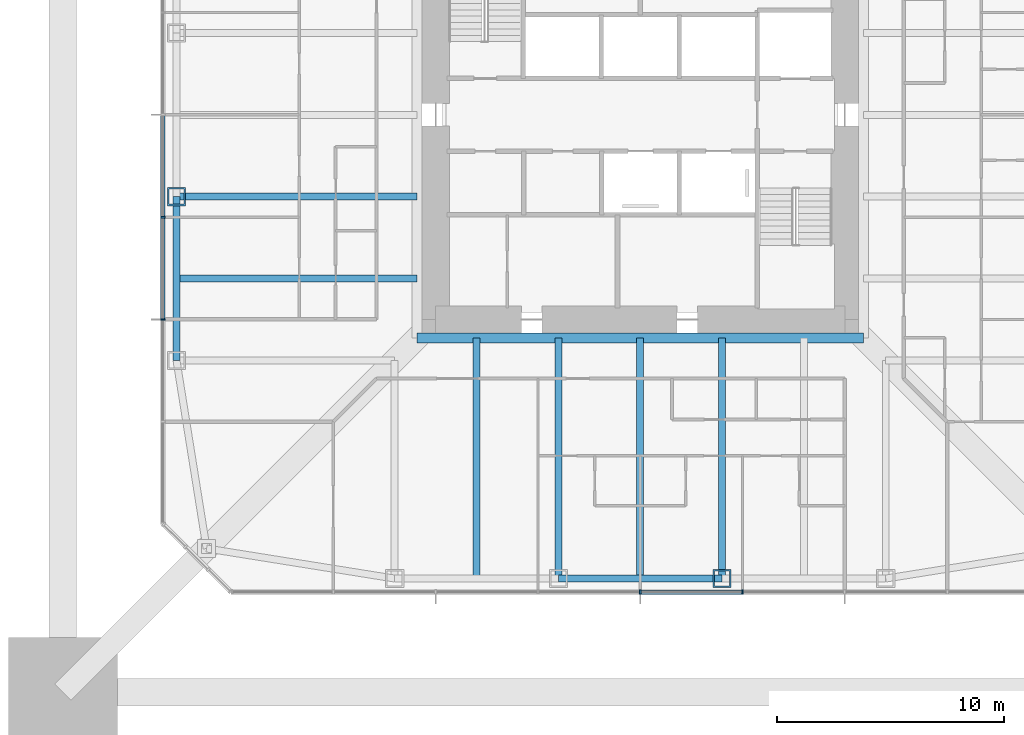
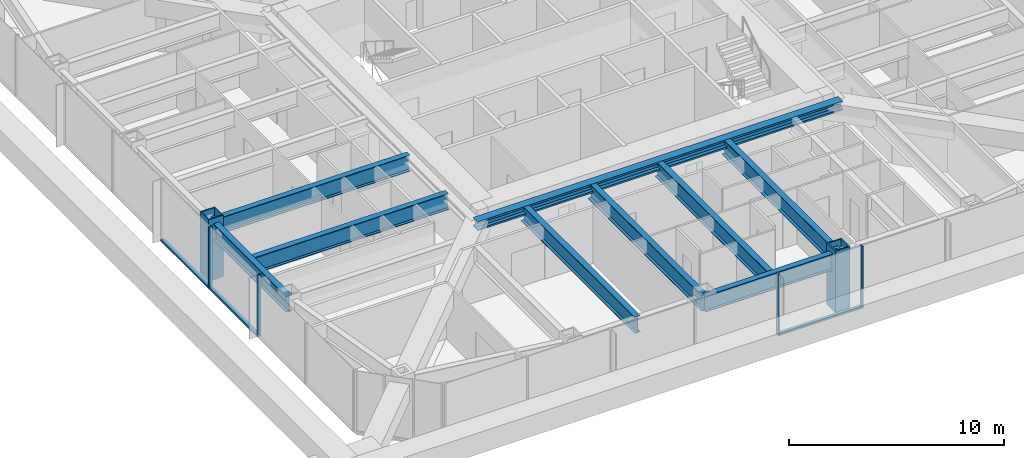
# One storey, part 4 of 20: 9 beams, 9 members, 2 elements without a shape of their own.
"""IFC4 building model written with IfcOpenShell, lengths in metres."""

import ifcopenshell
import ifcopenshell.guid

model = None  # the IFC model being written
_history = None  # IfcOwnerHistory: only IFC2X3 demands one
_inside = {}  # id of a spatial element -> (the spatial element, [elements in it])
_under = {}  # id of a project, library or spatial element -> (it, [spatial elements below it])
_declared = {}  # id of a project -> (the project, [libraries it declares])
_typed = {}  # id of a type object -> (the type object, [elements of that type])
_made_of = {}  # id of a material, layer set ... -> (it, [elements and type objects made of it])


def new_model(schema):
    """Start an empty IFC model of exactly this schema.

    Asked for "IFC4X3", IfcOpenShell would pick the latest addendum, in which some entities
    have other attributes; the version numbers below select the first issue.
    IFC2X3 requires an IfcOwnerHistory on every rooted entity: one is made here for all.
    """
    global model, _history
    if schema == "IFC4X3":
        model = ifcopenshell.file(schema_version=(4, 3, 0, 0))
    else:
        model = ifcopenshell.file(schema=schema)
    _inside.clear()
    _under.clear()
    _declared.clear()
    _typed.clear()
    _made_of.clear()
    _history = None
    if model.schema == "IFC2X3":
        org = make("IfcOrganization", Name="unknown")
        user = make(
            "IfcPersonAndOrganization",
            ThePerson=make("IfcPerson", FamilyName="unknown"),
            TheOrganization=org,
        )
        app = make(
            "IfcApplication",
            ApplicationDeveloper=org,
            Version="unknown",
            ApplicationFullName="unknown",
            ApplicationIdentifier="unknown",
        )
        _history = make(
            "IfcOwnerHistory",
            OwningUser=user,
            OwningApplication=app,
            ChangeAction="ADDED",
            CreationDate=0,
        )
    return model


def make(cls, **values):
    """One entity of the class cls with the attributes given. An attribute that is None is left unset."""
    return model.create_entity(
        cls, **{name: value for name, value in values.items() if value is not None}
    )


def rooted(cls, **values):
    """An entity with a GlobalId (a new one), such as an element, a storey or a relation."""
    return make(cls, GlobalId=ifcopenshell.guid.new(), OwnerHistory=_history, **values)


def si_unit(unit_type, name, prefix=None):
    """IfcSIUnit, for example si_unit("LENGTHUNIT", "METRE", prefix="MILLI")."""
    return make("IfcSIUnit", UnitType=unit_type, Prefix=prefix, Name=name)


def assignment(units):
    """IfcUnitAssignment: the units of a project."""
    return None if units is None else make("IfcUnitAssignment", Units=units)


def point(xyz):
    """IfcCartesianPoint."""
    return None if xyz is None else make("IfcCartesianPoint", Coordinates=xyz)


def direction(xyz):
    """IfcDirection."""
    return None if xyz is None else make("IfcDirection", DirectionRatios=xyz)


def frame(location, z_axis=None, x_axis=None):
    """IfcAxis2Placement3D, a coordinate frame: its origin and axes. An axis left out is left unset."""
    return make(
        "IfcAxis2Placement3D",
        Location=point(location),
        Axis=direction(z_axis),
        RefDirection=direction(x_axis),
    )


def frame_2d(location, x_axis=None):
    """IfcAxis2Placement2D, a coordinate frame in the plane: its origin and x axis."""
    return make(
        "IfcAxis2Placement2D", Location=point(location), RefDirection=direction(x_axis)
    )


def origin():
    """The frame at (0, 0, 0) with its axes left unset."""
    return frame((0.0, 0.0, 0.0))


def origin_2d():
    """The frame at (0, 0) in the plane with its x axis left unset."""
    return frame_2d((0.0, 0.0))


def place(relative_to, where):
    """IfcLocalPlacement: puts the frame where relative to a parent placement (None: the world)."""
    return make(
        "IfcLocalPlacement", PlacementRelTo=relative_to, RelativePlacement=where
    )


def context(
    kind, dimensions, precision=None, world=None, true_north=None, identifier=None
):
    """IfcGeometricRepresentationContext, for example the 3D "Model" context."""
    return make(
        "IfcGeometricRepresentationContext",
        ContextIdentifier=identifier,
        ContextType=kind,
        CoordinateSpaceDimension=dimensions,
        Precision=precision,
        WorldCoordinateSystem=world,
        TrueNorth=true_north,
    )


def subcontext(parent, identifier, kind, view, scale=None):
    """IfcGeometricRepresentationSubContext, for example "Body" below "Model"."""
    return make(
        "IfcGeometricRepresentationSubContext",
        ContextIdentifier=identifier,
        ContextType=kind,
        ParentContext=parent,
        TargetScale=scale,
        TargetView=view,
    )


def project(units=None, contexts=None):
    """IfcProject with its units and contexts."""
    return rooted(
        "IfcProject",
        Name="project",
        RepresentationContexts=contexts,
        UnitsInContext=assignment(units),
    )


def spatial(cls, under=None, at=None, **own):
    """A site, building, storey or space (cls), placed at a placement, below another one or the project."""
    s = rooted(cls, ObjectPlacement=at, **own)
    if under is not None:
        _under.setdefault(under.id(), (under, []))[1].append(s)
    return s


def profile(cls, at=None, kind="AREA", **sizes):
    """A parametric profile (cls). Its sizes go by their IFC names, for example OverallWidth=200.0."""
    return make(cls, ProfileType=kind, Position=at, **sizes)


def rectangle(**sizes):
    """IfcRectangleProfileDef."""
    return profile("IfcRectangleProfileDef", **sizes)


def hollow_rectangle(**sizes):
    """IfcRectangleHollowProfileDef."""
    return profile("IfcRectangleHollowProfileDef", **sizes)


def i_section(**sizes):
    """IfcIShapeProfileDef."""
    return profile("IfcIShapeProfileDef", **sizes)


def extrude(swept, where, along, depth):
    """IfcExtrudedAreaSolid: the profile swept, set in the frame where, extruded along a direction by depth."""
    return make(
        "IfcExtrudedAreaSolid",
        SweptArea=swept,
        Position=where,
        ExtrudedDirection=direction(along),
        Depth=depth,
    )


def shape(context_of_items, identifier, shape_type, items):
    """IfcShapeRepresentation: the items that make up one representation, for example the "Body"."""
    return make(
        "IfcShapeRepresentation",
        ContextOfItems=context_of_items,
        RepresentationIdentifier=identifier,
        RepresentationType=shape_type,
        Items=items,
    )


def material(Name=None, Category=None):
    """IfcMaterial."""
    return make("IfcMaterial", Name=Name, Category=Category)


def material_profile(
    of_material, cross_section, Name=None, Category=None, Priority=None
):
    """IfcMaterialProfile: a cross section and its material."""
    return make(
        "IfcMaterialProfile",
        Name=Name,
        Material=of_material,
        Profile=cross_section,
        Priority=Priority,
        Category=Category,
    )


def profile_set(profiles, Name=None, composite=None):
    """IfcMaterialProfileSet."""
    return make(
        "IfcMaterialProfileSet",
        Name=Name,
        MaterialProfiles=profiles,
        CompositeProfile=composite,
    )


def made_of(thing, what):
    """Note that an element or type object is made of a material, layer set ...; save() writes the relation."""
    if what is not None:
        _made_of.setdefault(what.id(), (what, []))[1].append(thing)
    return thing


def type_object(cls, material=None, **own):
    """A type object (cls), such as IfcWallType, which elements share."""
    return made_of(rooted(cls, **own), material)


def element(
    cls,
    number,
    at=None,
    inside=None,
    cuts=None,
    type_object=None,
    material=None,
    context=None,
    identifier="Body",
    shape_type=None,
    held_by="IfcProductDefinitionShape",
    body=None,
    shapes=None,
    **own,
):
    """One element of the class cls, such as IfcWall. Its Tag is "e" and its number.

    at: its placement. inside: the storey or other place that contains it. cuts: it is an
    opening in that element (IfcRelVoidsElement). A single representation is given by context,
    identifier, shape_type and body (its items); several are given by shapes. held_by: the class
    of the entity that holds the representations. save() writes the other relations.
    """
    e = rooted(cls, Tag="e%d" % number, ObjectPlacement=at, **own)
    if body is not None:
        shapes = [shape(context, identifier, shape_type, body)]
    if shapes is not None:
        e.Representation = make(held_by, Representations=shapes)
    if inside is not None:
        _inside.setdefault(inside.id(), (inside, []))[1].append(e)
    if cuts is not None:
        rooted(
            "IfcRelVoidsElement", RelatingBuildingElement=cuts, RelatedOpeningElement=e
        )
    if type_object is not None:
        _typed.setdefault(type_object.id(), (type_object, []))[1].append(e)
    return made_of(e, material)


def aggregate(whole, parts):
    """IfcRelAggregates: a whole, such as a stair, and the parts it consists of."""
    return rooted("IfcRelAggregates", RelatingObject=whole, RelatedObjects=parts)


def save(model, path):
    """Write the relations noted so far, then the file.

    IfcRelAggregates (storeys below a building ...), IfcRelContainedInSpatialStructure (elements
    in a storey), IfcRelDefinesByType, IfcRelAssociatesMaterial and IfcRelDeclares: one each for
    every whole, place, type object, material and project.
    """
    for whole, parts in _under.values():
        aggregate(whole, parts)
    for where, things in _inside.values():
        rooted(
            "IfcRelContainedInSpatialStructure",
            RelatedElements=things,
            RelatingStructure=where,
        )
    for kind, things in _typed.values():
        rooted("IfcRelDefinesByType", RelatedObjects=things, RelatingType=kind)
    for what, things in _made_of.values():
        rooted("IfcRelAssociatesMaterial", RelatedObjects=things, RelatingMaterial=what)
    for by, libraries in _declared.values():
        rooted("IfcRelDeclares", RelatingContext=by, RelatedDefinitions=libraries)
    model.write(path)


model = new_model("IFC4")

# Units and contexts
model_context = context("Model", 3, precision=1e-05, world=origin(), true_north=direction((0.0, 1.0)))
body_context = subcontext(model_context, "Body", "Model", "MODEL_VIEW")
ifc_project = project(units=[si_unit("LENGTHUNIT", "METRE"), si_unit("AREAUNIT", "SQUARE_METRE"), si_unit("VOLUMEUNIT", "CUBIC_METRE"), si_unit("PLANEANGLEUNIT", "RADIAN"), si_unit("MASSUNIT", "GRAM", prefix="KILO")], contexts=[model_context])

# Site, building, storey
site_placement = place(None, origin())
site = spatial("IfcSite", under=ifc_project, at=site_placement, CompositionType="ELEMENT")
building_placement = place(site_placement, origin())
building = spatial("IfcBuilding", under=site, at=building_placement, Name="Iwan Alto Co-Living Towers", CompositionType="ELEMENT")
storey_placement = place(building_placement, frame((0.0, 0.0, 140.0)))
storey = spatial("IfcBuildingStorey", under=building, at=storey_placement, Name="L38", CompositionType="ELEMENT", Elevation=140.0)

# Curtain wall, members
ifc_material_1 = material(Name="Bronze aluminium unitised frame", Category="aluminium")
curtain_wall_type = type_object("IfcCurtainWallType", Name="CURTAIN WALL CW-A", PredefinedType="NOTDEFINED", material=ifc_material_1)
curtain_wall_1_placement = place(storey_placement, origin())
curtain_wall_1 = element("IfcCurtainWall", 1, at=curtain_wall_1_placement, inside=storey, type_object=curtain_wall_type, Name="T1 curtain wall S L38", PredefinedType="NOTDEFINED")
ifc_material_2 = material(Name="Aluminium 6063-T6 bronze anodised", Category="aluminium")
ifc_material_profile_1 = material_profile(ifc_material_2, rectangle(XDim=0.199951171875, YDim=0.080078125, at=origin_2d()), Name="AL 80X200")
ifc_profile_set_1 = profile_set([ifc_material_profile_1], Name="Aluminium 6063-T6 bronze anodised")
member_type_1 = type_object("IfcMemberType", Name="CW-A MULLION 80X200", PredefinedType="MULLION", material=ifc_profile_set_1)
member_1_placement = place(storey_placement, frame((0.0, -21.0, 0.0), z_axis=(0.0, 0.0, 1.0), x_axis=(0.0, 1.0, 0.0)))
member_1 = element("IfcMember", 2, at=member_1_placement, type_object=member_type_1, Name="CW-A mullion 5", PredefinedType="MULLION", context=body_context, shape_type="SweptSolid", body=[
    extrude(rectangle(XDim=0.199951171875, YDim=0.080078125, at=origin_2d()), origin(), (0.0, 0.0, 1.0), 3.5),
])
member_2_placement = place(storey_placement, frame((4.5, -21.0, 0.0), z_axis=(0.0, 0.0, 1.0), x_axis=(0.0, 1.0, 0.0)))
member_2 = element("IfcMember", 3, at=member_2_placement, type_object=member_type_1, Name="CW-A mullion 6", PredefinedType="MULLION", context=body_context, shape_type="SweptSolid", body=[
    extrude(rectangle(XDim=0.199951171875, YDim=0.080078125, at=origin_2d()), origin(), (0.0, 0.0, 1.0), 3.5),
])

curtain_wall_2_placement = place(storey_placement, origin())
curtain_wall_2 = element("IfcCurtainWall", 4, at=curtain_wall_2_placement, inside=storey, type_object=curtain_wall_type, Name="T1 curtain wall W L38", PredefinedType="NOTDEFINED")
member_3_placement = place(storey_placement, frame((-21.0, -4.5, 0.0), z_axis=(0.0, 0.0, 1.0), x_axis=(1.0, 0.0, 0.0)))
member_3 = element("IfcMember", 5, at=member_3_placement, type_object=member_type_1, Name="CW-A mullion 6", PredefinedType="MULLION", context=body_context, shape_type="SweptSolid", body=[
    extrude(rectangle(XDim=0.199951171875, YDim=0.080078125, at=origin_2d()), origin(), (0.0, 0.0, 1.0), 3.5),
])
member_4_placement = place(storey_placement, frame((-21.0, -9.0, 0.0), z_axis=(0.0, 0.0, 1.0), x_axis=(1.0, 0.0, 0.0)))
member_4 = element("IfcMember", 6, at=member_4_placement, type_object=member_type_1, Name="CW-A mullion 7", PredefinedType="MULLION", context=body_context, shape_type="SweptSolid", body=[
    extrude(rectangle(XDim=0.199951171875, YDim=0.080078125, at=origin_2d()), origin(), (0.0, 0.0, 1.0), 3.5),
])

# Member
ifc_material_3 = material(Name="Aluminium 6063-T6 bronze anodised", Category="aluminium")
ifc_material_profile_2 = material_profile(ifc_material_3, rectangle(XDim=0.199951171875, YDim=0.10009765625, at=origin_2d()), Name="AL 200X100")
ifc_profile_set_2 = profile_set([ifc_material_profile_2], Name="Aluminium 6063-T6 bronze anodised")
member_type_2 = type_object("IfcMemberType", Name="CW-A TRANSOM 200X100", PredefinedType="USERDEFINED", material=ifc_profile_set_2)
member_5_placement = place(storey_placement, frame((0.0400390625, -21.0, 0.050048828125), z_axis=(1.0, 0.0, 0.0), x_axis=(0.0, 1.0, 0.0)))
member_5 = element("IfcMember", 7, at=member_5_placement, type_object=member_type_2, Name="CW-A transom 5.1", ObjectType="TRANSOM", PredefinedType="USERDEFINED", context=body_context, shape_type="SweptSolid", body=[
    extrude(rectangle(XDim=0.199951171875, YDim=0.10009765625, at=origin_2d()), origin(), (0.0, 0.0, 1.0), 4.419921875),
])

aggregate(curtain_wall_1, [member_1, member_2, member_5])

member_6_placement = place(storey_placement, frame((-21.0, -0.0400390625, 0.050048828125), z_axis=(0.0, -1.0, 0.0), x_axis=(1.0, 0.0, 0.0)))
member_6 = element("IfcMember", 8, at=member_6_placement, type_object=member_type_2, Name="CW-A transom 5.1", ObjectType="TRANSOM", PredefinedType="USERDEFINED", context=body_context, shape_type="SweptSolid", body=[
    extrude(rectangle(XDim=0.199951171875, YDim=0.10009765625, at=origin_2d()), origin(), (0.0, 0.0, 1.0), 4.419921875),
])

member_7_placement = place(storey_placement, frame((-21.0, -4.5400390625, 0.050048828125), z_axis=(0.0, -1.0, 0.0), x_axis=(1.0, 0.0, 0.0)))
member_7 = element("IfcMember", 9, at=member_7_placement, type_object=member_type_2, Name="CW-A transom 6.1", ObjectType="TRANSOM", PredefinedType="USERDEFINED", context=body_context, shape_type="SweptSolid", body=[
    extrude(rectangle(XDim=0.199951171875, YDim=0.10009765625, at=origin_2d()), origin(), (0.0, 0.0, 1.0), 4.419921875),
])

aggregate(curtain_wall_2, [member_3, member_4, member_6, member_7])

# Beams
ifc_material_4 = material(Name="Steel ASTM A992 Gr 50", Category="steel")
ifc_material_profile_3 = material_profile(ifc_material_4, i_section(OverallWidth=0.307373046875, OverallDepth=0.927001953125, WebThickness=0.01953125, FlangeThickness=0.031982421875, at=origin_2d()), Name="W36X194")
ifc_profile_set_3 = profile_set([ifc_material_profile_3], Name="Steel ASTM A992 Gr 50")
beam_type_1 = type_object("IfcBeamType", Name="T1 BELT TRUSS CHORD W36X194", PredefinedType="BEAM", material=ifc_profile_set_3)
beam_1_placement = place(storey_placement, frame((-3.60009765625, -20.39990234375, 2.736328125), z_axis=(1.0, 0.0, 0.0), x_axis=(0.0, 1.0, 0.0)))
element("IfcBeam", 10, at=beam_1_placement, inside=storey, type_object=beam_type_1, Name="T1 edge beam S2 L39", PredefinedType="BEAM", context=body_context, shape_type="SweptSolid", body=[
    extrude(i_section(OverallWidth=0.307373046875, OverallDepth=0.927001953125, WebThickness=0.01953125, FlangeThickness=0.031982421875, at=origin_2d()), origin(), (0.0, 0.0, 1.0), 7.2001953125),
])
beam_2_placement = place(storey_placement, frame((-20.39990234375, -3.60009765625, 2.736328125), z_axis=(0.0, -1.0, 0.0), x_axis=(1.0, 0.0, 0.0)))
element("IfcBeam", 11, at=beam_2_placement, inside=storey, type_object=beam_type_1, Name="T1 edge beam W3 L39", PredefinedType="BEAM", context=body_context, shape_type="SweptSolid", body=[
    extrude(i_section(OverallWidth=0.307373046875, OverallDepth=0.927001953125, WebThickness=0.01953125, FlangeThickness=0.031982421875, at=origin_2d()), origin(), (0.0, 0.0, 1.0), 7.199951171875),
])
ifc_material_5 = material(Name="Steel ASTM A992 Gr 50", Category="steel")
ifc_material_profile_4 = material_profile(ifc_material_5, i_section(OverallWidth=0.436767578125, OverallDepth=0.51318359375, WebThickness=0.060546875, FlangeThickness=0.096923828125, at=origin_2d()), Name="W14X550")
ifc_profile_set_4 = profile_set([ifc_material_profile_4], Name="Steel ASTM A992 Gr 50")
beam_type_2 = type_object("IfcBeamType", Name="T1 CORE LEDGER BEAM W14X550", PredefinedType="BEAM", material=ifc_profile_set_4)
beam_3_placement = place(storey_placement, frame((-9.818359375, -9.818359375, 2.943359375), z_axis=(1.0, 0.0, 0.0), x_axis=(0.0, 1.0, 0.0)))
element("IfcBeam", 12, at=beam_3_placement, inside=storey, type_object=beam_type_2, Name="T1 core ledger beam S L39", PredefinedType="BEAM", context=body_context, shape_type="SweptSolid", body=[
    extrude(i_section(OverallWidth=0.436767578125, OverallDepth=0.51318359375, WebThickness=0.060546875, FlangeThickness=0.096923828125, at=origin_2d()), origin(), (0.0, 0.0, 1.0), 19.63671875),
])
ifc_material_6 = material(Name="Steel ASTM A992 Gr 50", Category="steel")
ifc_material_profile_5 = material_profile(ifc_material_6, i_section(OverallWidth=0.307373046875, OverallDepth=0.927001953125, WebThickness=0.01953125, FlangeThickness=0.031982421875, at=origin_2d()), Name="W36X194")
ifc_profile_set_5 = profile_set([ifc_material_profile_5], Name="Steel ASTM A992 Gr 50")
beam_type_3 = type_object("IfcBeamType", Name="T1 RADIAL BEAM W36X194", PredefinedType="BEAM", material=ifc_profile_set_5)
for number, where, z_axis, x_axis, name in (
    (13, (-3.60009765625, -20.39990234375, 2.736328125), (0.0, 1.0, 0.0), (-1.0, 0.0, 0.0), "T1 radial beam S2 L39"),
    (14, (3.60009765625, -20.39990234375, 2.736328125), (0.0, 1.0, 0.0), (-1.0, 0.0, 0.0), "T1 radial beam S3 L39"),
    (15, (-20.39990234375, -3.60009765625, 2.736328125), (1.0, 0.0, 0.0), (0.0, 1.0, 0.0), "T1 radial beam W3 L39"),
):
    element("IfcBeam", number, at=place(storey_placement, frame(where, z_axis=z_axis, x_axis=x_axis)), inside=storey, type_object=beam_type_3, Name=name, PredefinedType="BEAM", context=body_context, shape_type="SweptSolid", body=[
        extrude(i_section(OverallWidth=0.307373046875, OverallDepth=0.927001953125, WebThickness=0.01953125, FlangeThickness=0.031982421875, at=origin_2d()), origin(), (0.0, 0.0, 1.0), 10.58154296875),
    ])

# Members
ifc_material_7 = material(Name="Steel ASTM A572 Gr 50", Category="steel")
ifc_material_profile_6 = material_profile(ifc_material_7, hollow_rectangle(XDim=0.800048828125, YDim=0.800048828125, WallThickness=0.070068359375, at=origin_2d()), Name="BOX 800X800X70")
ifc_profile_set_6 = profile_set([ifc_material_profile_6], Name="Steel ASTM A572 Gr 50")
member_type_3 = type_object("IfcMemberType", Name="T1 RING POST AT STEP BOX 800X800X70", PredefinedType="MEMBER", material=ifc_profile_set_6)
for number, where, z_axis, x_axis, name in (
    (16, (3.60009765625, -20.39990234375, 0.0), (0.0, 0.0, 1.0), (1.0, 0.0, 0.0), "T1 ring post at step S3 L38"),
    (17, (-20.39990234375, -3.60009765625, 0.0), (0.0, 0.0, 1.0), (1.0, 0.0, 0.0), "T1 ring post at step W3 L38"),
):
    element("IfcMember", number, at=place(storey_placement, frame(where, z_axis=z_axis, x_axis=x_axis)), inside=storey, type_object=member_type_3, Name=name, PredefinedType="MEMBER", context=body_context, shape_type="SweptSolid", body=[
        extrude(hollow_rectangle(XDim=0.800048828125, YDim=0.800048828125, WallThickness=0.070068359375, at=origin_2d()), origin(), (0.0, 0.0, 1.0), 3.5),
    ])

# Beams
ifc_material_8 = material(Name="Steel ASTM A992 Gr 50", Category="steel")
ifc_material_profile_7 = material_profile(ifc_material_8, i_section(OverallWidth=0.307373046875, OverallDepth=0.927001953125, WebThickness=0.01953125, FlangeThickness=0.031982421875, at=origin_2d()), Name="W36X194")
ifc_profile_set_7 = profile_set([ifc_material_profile_7], Name="Steel ASTM A992 Gr 50")
beam_type_4 = type_object("IfcBeamType", Name="T1 SECONDARY BEAM W36X194", PredefinedType="JOIST", material=ifc_profile_set_7)
for number, where, z_axis, x_axis, name in (
    (18, (-7.199951171875, -20.39990234375, 2.736328125), (0.0, 1.0, 0.0), (-1.0, 0.0, 0.0), "T1 secondary beam S1 L39"),
    (19, (0.0, -20.39990234375, 2.736328125), (0.0, 1.0, 0.0), (-1.0, 0.0, 0.0), "T1 secondary beam S2 L39"),
    (20, (-20.39990234375, -7.199951171875, 2.736328125), (1.0, 0.0, 0.0), (0.0, 1.0, 0.0), "T1 secondary beam W3 L39"),
):
    element("IfcBeam", number, at=place(storey_placement, frame(where, z_axis=z_axis, x_axis=x_axis)), inside=storey, type_object=beam_type_4, Name=name, PredefinedType="JOIST", context=body_context, shape_type="SweptSolid", body=[
        extrude(i_section(OverallWidth=0.307373046875, OverallDepth=0.927001953125, WebThickness=0.01953125, FlangeThickness=0.031982421875, at=origin_2d()), origin(), (0.0, 0.0, 1.0), 10.58154296875),
    ])

save(model, "model.ifc")
